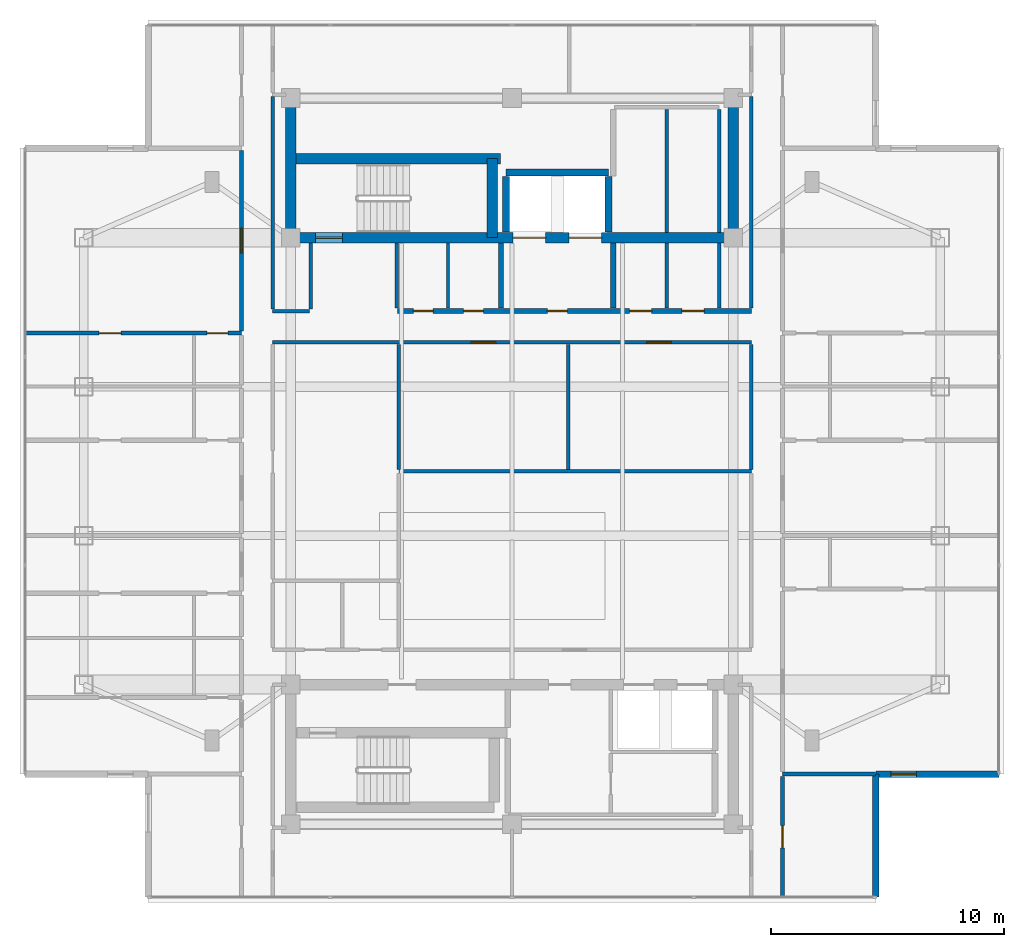
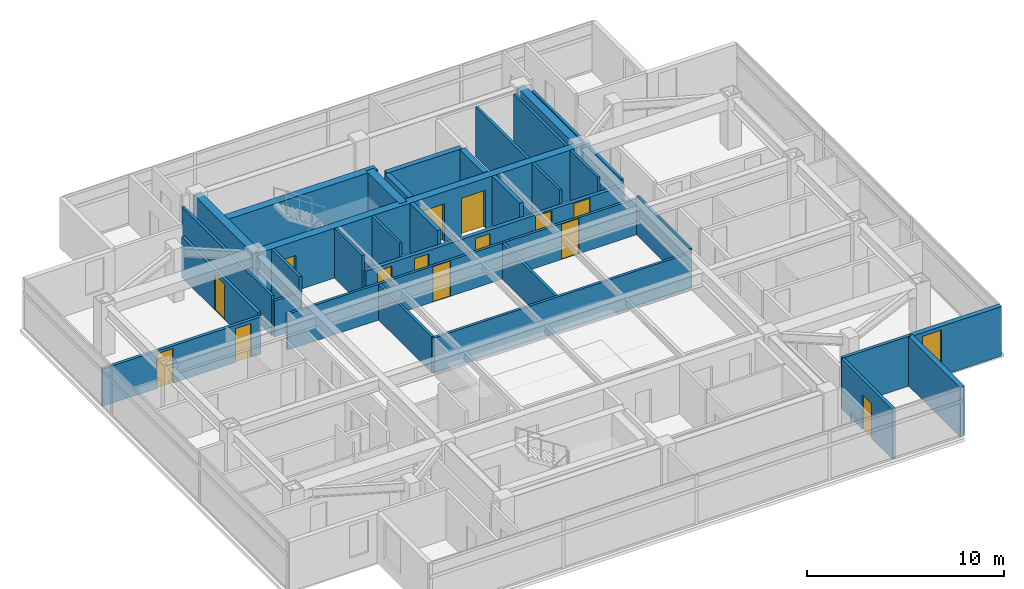
# One storey, part 9 of 15: 32 walls, 14 doors, 1 window, 15 openings.
"""IFC4 building model written with IfcOpenShell, lengths in metres."""

from ifc_helpers import new_model, si_unit, direction, frame, frame_2d, origin, place, context, subcontext, project, spatial, rectangle, extrude, material, layer, layer_set, type_object, element, fill, save


model = new_model("IFC4")

# Units and contexts
model_context = context("Model", 3, precision=1e-05, world=origin(), true_north=direction((0.0, 1.0)))
body_context = subcontext(model_context, "Body", "Model", "MODEL_VIEW")
ifc_project = project(units=[si_unit("LENGTHUNIT", "METRE"), si_unit("AREAUNIT", "SQUARE_METRE"), si_unit("VOLUMEUNIT", "CUBIC_METRE"), si_unit("PLANEANGLEUNIT", "RADIAN"), si_unit("MASSUNIT", "GRAM", prefix="KILO")], contexts=[model_context])

# Site, building, storey
site_placement = place(None, origin())
site = spatial("IfcSite", under=ifc_project, at=site_placement, CompositionType="ELEMENT")
building_placement = place(site_placement, origin())
building = spatial("IfcBuilding", under=site, at=building_placement, Name="Mirazonda Arch Towers", CompositionType="ELEMENT")
storey_placement = place(building_placement, frame((0.0, 0.0, 229.300048828125)))
storey = spatial("IfcBuildingStorey", under=building, at=storey_placement, Name="L65", CompositionType="ELEMENT", Elevation=229.300048828125)

# Walls
ifc_material_1 = material(Name="Concrete C50/60", Category="concrete")
ifc_layer_1 = layer(ifc_material_1, 0.449951171875, Name="WALL-CORE-450")
ifc_layer_set_1 = layer_set([ifc_layer_1], Name="Concrete C50/60")
wall_type_1 = type_object("IfcWallType", Name="WALL-CORE-450", PredefinedType="SHEAR", material=ifc_layer_set_1)
for number, where, z_axis, x_axis, name in (
    (1, (11.0, 37.60009765625, 0.0), (0.0, 0.0, 1.0), (0.0, 1.0, 0.0), "L65 T1N-W Core Shear Wall"),
    (2, (30.0, 37.60009765625, 0.0), (0.0, 0.0, 1.0), (0.0, 1.0, 0.0), "L65 T1N-E Core Shear Wall"),
):
    element("IfcWall", number, at=place(storey_placement, frame(where, z_axis=z_axis, x_axis=x_axis)), inside=storey, type_object=wall_type_1, Name=name, PredefinedType="SHEAR", context=body_context, shape_type="SweptSolid", body=[
        extrude(rectangle(XDim=6.0, YDim=0.449951171875, at=frame_2d((3.0, 0.0))), origin(), (0.0, 0.0, 1.0), 3.099853515625),
    ])

# Wall, openings, doors
wall_1_placement = place(storey_placement, frame((11.0, 37.60009765625, 0.0), z_axis=(0.0, 0.0, 1.0), x_axis=(1.0, 0.0, 0.0)))
wall_1 = element("IfcWall", 3, at=wall_1_placement, inside=storey, type_object=wall_type_1, Name="L65 T1N-S Core Shear Wall", PredefinedType="SHEAR", context=body_context, shape_type="SweptSolid", body=[
    extrude(rectangle(XDim=19.0, YDim=0.449951171875, at=frame_2d((9.5, 0.0))), origin(), (0.0, 0.0, 1.0), 3.099853515625),
])
opening_1_placement = place(wall_1_placement, frame((1.06005859375, 0.0, 0.0)))
opening_1 = element("IfcOpeningElement", 4, at=opening_1_placement, cuts=wall_1, Name="Opening DR-135", PredefinedType="OPENING", context=body_context, shape_type="SweptSolid", body=[
    extrude(rectangle(XDim=1.14990234375, YDim=2.199951171875, at=frame_2d((0.574951171875, 1.10009765625))), frame((0.0, 0.23486328125, 0.0), z_axis=(0.0, -1.0, 0.0), x_axis=(1.0, 0.0, 0.0)), (0.0, 0.0, 1.0), 0.469970703125),
])
opening_2_placement = place(wall_1_placement, frame((9.550048828125, 0.0, 0.0)))
opening_2 = element("IfcOpeningElement", 5, at=opening_2_placement, cuts=wall_1, Name="Opening LD-112", PredefinedType="OPENING", context=body_context, shape_type="SweptSolid", body=[
    extrude(rectangle(XDim=1.39990234375, YDim=2.35009765625, at=frame_2d((0.699951171875, 1.175048828125))), frame((0.0, 0.23486328125, 0.0), z_axis=(0.0, -1.0, 0.0), x_axis=(1.0, 0.0, 0.0)), (0.0, 0.0, 1.0), 0.469970703125),
])
opening_3_placement = place(wall_1_placement, frame((11.949951171875, 0.0, 0.0)))
opening_3 = element("IfcOpeningElement", 6, at=opening_3_placement, cuts=wall_1, Name="Opening LD-112", PredefinedType="OPENING", context=body_context, shape_type="SweptSolid", body=[
    extrude(rectangle(XDim=1.39990234375, YDim=2.35009765625, at=frame_2d((0.699951171875, 1.175048828125))), frame((0.0, 0.23486328125, 0.0), z_axis=(0.0, -1.0, 0.0), x_axis=(1.0, 0.0, 0.0)), (0.0, 0.0, 1.0), 0.469970703125),
])
ifc_material_2 = material(Name="Architectural Brushed Steel S355", Category="steel")
door_type_1 = type_object("IfcDoorType", Name="DOOR-LIFT-FFL-1400", OperationType="NOTDEFINED", PredefinedType="DOOR", material=ifc_material_2)
door_1_placement = place(opening_2_placement, origin())
door_1 = element("IfcDoor", 7, at=door_1_placement, inside=storey, type_object=door_type_1, Name="L65 Lift Landing Sliding Door FFL-T1", OperationType="DOUBLE_DOOR_SLIDING", OverallHeight=2.35009765625, OverallWidth=1.39990234375, PredefinedType="DOOR", context=body_context, shape_type="SweptSolid", body=[
    extrude(rectangle(XDim=1.39990234375, YDim=2.35009765625, at=frame_2d((0.699951171875, 1.175048828125))), frame((0.0, 0.02490234375, 0.0), z_axis=(0.0, -1.0, 0.0), x_axis=(1.0, 0.0, 0.0)), (0.0, 0.0, 1.0), 0.050048828125),
])
fill(opening_2, door_1)
door_2_placement = place(opening_3_placement, origin())
door_2 = element("IfcDoor", 8, at=door_2_placement, inside=storey, type_object=door_type_1, Name="L65 Lift Landing Sliding Door SVL-T1", OperationType="DOUBLE_DOOR_SLIDING", OverallHeight=2.35009765625, OverallWidth=1.39990234375, PredefinedType="DOOR", context=body_context, shape_type="SweptSolid", body=[
    extrude(rectangle(XDim=1.39990234375, YDim=2.35009765625, at=frame_2d((0.699951171875, 1.175048828125))), frame((0.0, 0.02490234375, 0.0), z_axis=(0.0, -1.0, 0.0), x_axis=(1.0, 0.0, 0.0)), (0.0, 0.0, 1.0), 0.050048828125),
])
fill(opening_3, door_2)
door_type_2 = type_object("IfcDoorType", Name="DOOR-STAIR-FD90-1150", OperationType="NOTDEFINED", PredefinedType="DOOR", material=ifc_material_2)
door_3_placement = place(opening_1_placement, origin())
door_3 = element("IfcDoor", 9, at=door_3_placement, inside=storey, type_object=door_type_2, Name="L65 Protected Exit Stair North Door", OperationType="SINGLE_SWING_LEFT", OverallHeight=2.199951171875, OverallWidth=1.14990234375, PredefinedType="DOOR", context=body_context, shape_type="SweptSolid", body=[
    extrude(rectangle(XDim=1.14990234375, YDim=2.199951171875, at=frame_2d((0.574951171875, 1.10009765625))), frame((0.0, 0.02490234375, 0.0), z_axis=(0.0, -1.0, 0.0), x_axis=(1.0, 0.0, 0.0)), (0.0, 0.0, 1.0), 0.050048828125),
])
fill(opening_1, door_3)

# Walls
wall_2_placement = place(storey_placement, frame((11.0, 40.992919921875, 0.0), z_axis=(0.0, 0.0, 1.0), x_axis=(1.0, 0.0, 0.0)))
element("IfcWall", 10, at=wall_2_placement, inside=storey, type_object=wall_type_1, Name="L65 T1N-STN Core Shear Wall", PredefinedType="SHEAR", context=body_context, shape_type="SweptSolid", body=[
    extrude(rectangle(XDim=9.0, YDim=0.449951171875, at=frame_2d((4.5, 0.0))), origin(), (0.0, 0.0, 1.0), 3.099853515625),
])
wall_3_placement = place(storey_placement, frame((19.64990234375, 37.60009765625, 0.0), z_axis=(0.0, 0.0, 1.0), x_axis=(0.0, 1.0, 0.0)))
element("IfcWall", 11, at=wall_3_placement, inside=storey, type_object=wall_type_1, Name="L65 T1N-STE Core Shear Wall", PredefinedType="SHEAR", context=body_context, shape_type="SweptSolid", body=[
    extrude(rectangle(XDim=3.392822265625, YDim=0.449951171875, at=frame_2d((1.6962890625, 0.0))), origin(), (0.0, 0.0, 1.0), 3.099853515625),
])

# Wall, opening, window
ifc_material_3 = material(Name="Precast Concrete C40/50", Category="concrete")
ifc_layer_2 = layer(ifc_material_3, 0.280029296875, Name="WALL-EXT-WALL-280")
ifc_layer_set_2 = layer_set([ifc_layer_2], Name="Precast Concrete C40/50")
wall_type_2 = type_object("IfcWallType", Name="WALL-EXT-WALL-280", PredefinedType="SOLIDWALL", material=ifc_layer_set_2)
wall_4_placement = place(storey_placement, frame((36.1298828125, 14.555908203125, 0.0), z_axis=(0.0, 0.0, 1.0), x_axis=(1.0, 0.0, 0.0)))
wall_4 = element("IfcWall", 12, at=wall_4_placement, inside=storey, type_object=wall_type_2, Name="L65 T1 Corner Notch Return Wall WL-L65-T1-CSE1", PredefinedType="SOLIDWALL", context=body_context, shape_type="SweptSolid", body=[
    extrude(rectangle(XDim=5.2900390625, YDim=0.280029296875, at=frame_2d((2.64501953125, 0.0))), origin(), (0.0, 0.0, 1.0), 3.079833984375),
])
opening_4_placement = place(wall_4_placement, frame((0.64990234375, 0.0, 0.85009765625)))
opening_4 = element("IfcOpeningElement", 13, at=opening_4_placement, cuts=wall_4, Name="Opening WN-108", PredefinedType="OPENING", context=body_context, shape_type="SweptSolid", body=[
    extrude(rectangle(XDim=1.10009765625, YDim=2.0, at=frame_2d((0.550048828125, 1.0))), frame((0.0, 0.14990234375, 0.0), z_axis=(0.0, -1.0, 0.0), x_axis=(1.0, 0.0, 0.0)), (0.0, 0.0, 1.0), 0.300048828125),
])
ifc_material_4 = material(Name="Insulated Low-E Solar Glass", Category="glass")
window_type = type_object("IfcWindowType", Name="WIN-NOTCH-1100x2000", PartitioningType="SINGLE_PANEL", PredefinedType="WINDOW", material=ifc_material_4)
window_placement = place(opening_4_placement, origin())
window = element("IfcWindow", 14, at=window_placement, inside=storey, type_object=window_type, Name="L65 Punched Facade Window WN-L65-T1-CSE1", OverallHeight=2.0, OverallWidth=1.10009765625, PartitioningType="SINGLE_PANEL", PredefinedType="WINDOW", context=body_context, shape_type="SweptSolid", body=[
    extrude(rectangle(XDim=1.10009765625, YDim=2.0, at=frame_2d((0.550048828125, 1.0))), frame((0.0, 0.030029296875, 0.0), z_axis=(0.0, -1.0, 0.0), x_axis=(1.0, 0.0, 0.0)), (0.0, 0.0, 1.0), 0.06005859375),
])
fill(opening_4, window)

# Wall
wall_5_placement = place(storey_placement, frame((36.1298828125, 9.26611328125, 0.0), z_axis=(0.0, 0.0, 1.0), x_axis=(0.0, 1.0, 0.0)))
element("IfcWall", 15, at=wall_5_placement, inside=storey, type_object=wall_type_2, Name="L65 T1 Corner Notch Return Wall WL-L65-T1-CSE2", PredefinedType="SOLIDWALL", context=body_context, shape_type="SweptSolid", body=[
    extrude(rectangle(XDim=5.289794921875, YDim=0.280029296875, at=frame_2d((2.64501953125, 0.0))), origin(), (0.0, 0.0, 1.0), 3.079833984375),
])

# Wall, openings, doors
ifc_material_5 = material(Name="Concrete C40/50", Category="concrete")
ifc_layer_3 = layer(ifc_material_5, 0.219970703125, Name="WALL-FFL-220")
ifc_layer_set_3 = layer_set([ifc_layer_3], Name="Concrete C40/50")
wall_type_3 = type_object("IfcWallType", Name="WALL-FFL-220", PredefinedType="SOLIDWALL", material=ifc_layer_set_3)
wall_6_placement = place(storey_placement, frame((15.590087890625, 34.449951171875, 0.0), z_axis=(0.0, 0.0, 1.0), x_axis=(1.0, 0.0, 0.0)))
wall_6 = element("IfcWall", 16, at=wall_6_placement, inside=storey, type_object=wall_type_3, Name="L65 Interior Partition 028", PredefinedType="SOLIDWALL", context=body_context, shape_type="SweptSolid", body=[
    extrude(rectangle(XDim=15.18994140625, YDim=0.219970703125, at=frame_2d((7.594970703125, 0.0))), origin(), (0.0, 0.0, 1.0), 2.23583984375),
])
opening_5_placement = place(wall_6_placement, frame((6.43505859375, 0.0, 0.0)))
opening_5 = element("IfcOpeningElement", 17, at=opening_5_placement, cuts=wall_6, Name="Opening DR-128", PredefinedType="OPENING", context=body_context, shape_type="SweptSolid", body=[
    extrude(rectangle(XDim=0.85009765625, YDim=2.010009765625, at=frame_2d((0.425048828125, 1.0048828125))), frame((0.0, 0.119873046875, 0.0), z_axis=(0.0, -1.0, 0.0), x_axis=(1.0, 0.0, 0.0)), (0.0, 0.0, 1.0), 0.239990234375),
])
opening_6_placement = place(wall_6_placement, frame((9.9599609375, 0.0, 0.0)))
opening_6 = element("IfcOpeningElement", 18, at=opening_6_placement, cuts=wall_6, Name="Opening DR-104", PredefinedType="OPENING", context=body_context, shape_type="SweptSolid", body=[
    extrude(rectangle(XDim=0.949951171875, YDim=2.14990234375, at=frame_2d((0.47509765625, 1.074951171875))), frame((0.0, 0.119873046875, 0.0), z_axis=(0.0, -1.0, 0.0), x_axis=(1.0, 0.0, 0.0)), (0.0, 0.0, 1.0), 0.239990234375),
])
opening_7_placement = place(wall_6_placement, frame((12.2099609375, 0.0, 0.0)))
opening_7 = element("IfcOpeningElement", 19, at=opening_7_placement, cuts=wall_6, Name="Opening DR-104", PredefinedType="OPENING", context=body_context, shape_type="SweptSolid", body=[
    extrude(rectangle(XDim=0.949951171875, YDim=2.14990234375, at=frame_2d((0.47509765625, 1.074951171875))), frame((0.0, 0.119873046875, 0.0), z_axis=(0.0, -1.0, 0.0), x_axis=(1.0, 0.0, 0.0)), (0.0, 0.0, 1.0), 0.239990234375),
])
opening_8_placement = place(wall_6_placement, frame((0.675048828125, 0.0, 0.0)))
opening_8 = element("IfcOpeningElement", 20, at=opening_8_placement, cuts=wall_6, Name="Opening DR-128", PredefinedType="OPENING", context=body_context, shape_type="SweptSolid", body=[
    extrude(rectangle(XDim=0.85009765625, YDim=2.010009765625, at=frame_2d((0.425048828125, 1.0048828125))), frame((0.0, 0.119873046875, 0.0), z_axis=(0.0, -1.0, 0.0), x_axis=(1.0, 0.0, 0.0)), (0.0, 0.0, 1.0), 0.239990234375),
])
opening_9_placement = place(wall_6_placement, frame((2.8349609375, 0.0, 0.0)))
opening_9 = element("IfcOpeningElement", 21, at=opening_9_placement, cuts=wall_6, Name="Opening DR-128", PredefinedType="OPENING", context=body_context, shape_type="SweptSolid", body=[
    extrude(rectangle(XDim=0.85009765625, YDim=2.010009765625, at=frame_2d((0.425048828125, 1.0048828125))), frame((0.0, 0.119873046875, 0.0), z_axis=(0.0, -1.0, 0.0), x_axis=(1.0, 0.0, 0.0)), (0.0, 0.0, 1.0), 0.239990234375),
])
door_type_3 = type_object("IfcDoorType", Name="DOOR-RISER-FD60-850", OperationType="NOTDEFINED", PredefinedType="DOOR", material=ifc_material_2)
door_4_placement = place(opening_5_placement, origin())
door_4 = element("IfcDoor", 22, at=door_4_placement, inside=storey, type_object=door_type_3, Name="L65 Firefighting Lift Lobby Door", OperationType="SINGLE_SWING_RIGHT", OverallHeight=2.010009765625, OverallWidth=0.85009765625, PredefinedType="DOOR", context=body_context, shape_type="SweptSolid", body=[
    extrude(rectangle(XDim=0.85009765625, YDim=2.010009765625, at=frame_2d((0.425048828125, 1.0048828125))), frame((0.0, 0.02490234375, 0.0), z_axis=(0.0, -1.0, 0.0), x_axis=(1.0, 0.0, 0.0)), (0.0, 0.0, 1.0), 0.050048828125),
])
fill(opening_5, door_4)
door_5_placement = place(opening_8_placement, origin())
door_5 = element("IfcDoor", 23, at=door_5_placement, inside=storey, type_object=door_type_3, Name="L65 Electrical Room Door", OperationType="SINGLE_SWING_LEFT", OverallHeight=2.010009765625, OverallWidth=0.85009765625, PredefinedType="DOOR", context=body_context, shape_type="SweptSolid", body=[
    extrude(rectangle(XDim=0.85009765625, YDim=2.010009765625, at=frame_2d((0.425048828125, 1.0048828125))), frame((0.0, 0.02490234375, 0.0), z_axis=(0.0, -1.0, 0.0), x_axis=(1.0, 0.0, 0.0)), (0.0, 0.0, 1.0), 0.050048828125),
])
fill(opening_8, door_5)
door_6_placement = place(opening_9_placement, origin())
door_6 = element("IfcDoor", 24, at=door_6_placement, inside=storey, type_object=door_type_3, Name="L65 Cleaners & Housekeeping Store Door", OperationType="SINGLE_SWING_RIGHT", OverallHeight=2.010009765625, OverallWidth=0.85009765625, PredefinedType="DOOR", context=body_context, shape_type="SweptSolid", body=[
    extrude(rectangle(XDim=0.85009765625, YDim=2.010009765625, at=frame_2d((0.425048828125, 1.0048828125))), frame((0.0, 0.02490234375, 0.0), z_axis=(0.0, -1.0, 0.0), x_axis=(1.0, 0.0, 0.0)), (0.0, 0.0, 1.0), 0.050048828125),
])
fill(opening_9, door_6)
door_type_4 = type_object("IfcDoorType", Name="DOOR-ROOM-950", OperationType="NOTDEFINED", PredefinedType="DOOR", material=ifc_material_2)
door_7_placement = place(opening_6_placement, origin())
door_7 = element("IfcDoor", 25, at=door_7_placement, inside=storey, type_object=door_type_4, Name="L65 Residents Private Art Gallery Door", OperationType="SINGLE_SWING_LEFT", OverallHeight=2.14990234375, OverallWidth=0.949951171875, PredefinedType="DOOR", context=body_context, shape_type="SweptSolid", body=[
    extrude(rectangle(XDim=0.949951171875, YDim=2.14990234375, at=frame_2d((0.47509765625, 1.074951171875))), frame((0.0, 0.02490234375, 0.0), z_axis=(0.0, -1.0, 0.0), x_axis=(1.0, 0.0, 0.0)), (0.0, 0.0, 1.0), 0.050048828125),
])
fill(opening_6, door_7)
door_8_placement = place(opening_7_placement, origin())
door_8 = element("IfcDoor", 26, at=door_8_placement, inside=storey, type_object=door_type_4, Name="L65 Private Quiet Study Door", OperationType="SINGLE_SWING_RIGHT", OverallHeight=2.14990234375, OverallWidth=0.949951171875, PredefinedType="DOOR", context=body_context, shape_type="SweptSolid", body=[
    extrude(rectangle(XDim=0.949951171875, YDim=2.14990234375, at=frame_2d((0.47509765625, 1.074951171875))), frame((0.0, 0.02490234375, 0.0), z_axis=(0.0, -1.0, 0.0), x_axis=(1.0, 0.0, 0.0)), (0.0, 0.0, 1.0), 0.050048828125),
])
fill(opening_7, door_8)

# Walls
for number, where, z_axis, x_axis, name in (
    (27, (20.02490234375, 34.570068359375, 0.0), (0.0, 0.0, 1.0), (0.0, 1.0, 0.0), "L65 Interior Partition 063"),
    (28, (24.85009765625, 34.570068359375, 0.0), (0.0, 0.0, 1.0), (0.0, 1.0, 0.0), "L65 Interior Partition 073"),
):
    element("IfcWall", number, at=place(storey_placement, frame(where, z_axis=z_axis, x_axis=x_axis)), inside=storey, type_object=wall_type_3, Name=name, PredefinedType="SOLIDWALL", context=body_context, shape_type="SweptSolid", body=[
        extrude(rectangle(XDim=2.809814453125, YDim=0.219970703125, at=frame_2d((1.40478515625, 0.0))), origin(), (0.0, 0.0, 1.0), 3.099853515625),
    ])
ifc_material_6 = material(Name="Fire-Rated Gypsum Stud Partition")
ifc_layer_4 = layer(ifc_material_6, 0.14990234375, Name="WALL-PART-CORR-150")
ifc_layer_set_4 = layer_set([ifc_layer_4], Name="Fire-Rated Gypsum Stud Partition")
wall_type_4 = type_object("IfcWallType", Name="WALL-PART-CORR-150", PredefinedType="PARTITIONING", material=ifc_layer_set_4)
wall_7_placement = place(storey_placement, frame((15.639892578125, 27.555908203125, 0.0), z_axis=(0.0, 0.0, 1.0), x_axis=(1.0, 0.0, 0.0)))
element("IfcWall", 29, at=wall_7_placement, inside=storey, type_object=wall_type_4, Name="L65 Interior Partition 019", PredefinedType="PARTITIONING", context=body_context, shape_type="SweptSolid", body=[
    extrude(rectangle(XDim=15.14013671875, YDim=0.14990234375, at=frame_2d((7.570068359375, 0.0))), origin(), (0.0, 0.0, 1.0), 2.23583984375),
])

# Wall, openings, doors
wall_8_placement = place(storey_placement, frame((10.219970703125, 33.10009765625, 0.0), z_axis=(0.0, 0.0, 1.0), x_axis=(1.0, 0.0, 0.0)))
wall_8 = element("IfcWall", 30, at=wall_8_placement, inside=storey, type_object=wall_type_4, Name="L65 Interior Partition 024", PredefinedType="PARTITIONING", context=body_context, shape_type="SweptSolid", body=[
    extrude(rectangle(XDim=20.56005859375, YDim=0.14990234375, at=frame_2d((10.280029296875, 0.0))), origin(), (0.0, 0.0, 1.0), 2.23583984375),
])
opening_10_placement = place(wall_8_placement, frame((8.528564453125, 0.0, 0.0)))
opening_10 = element("IfcOpeningElement", 31, at=opening_10_placement, cuts=wall_8, Name="Opening DR-121", PredefinedType="OPENING", context=body_context, shape_type="SweptSolid", body=[
    extrude(rectangle(XDim=1.050048828125, YDim=2.199951171875, at=frame_2d((0.52490234375, 1.10009765625))), frame((0.0, 0.0849609375, 0.0), z_axis=(0.0, -1.0, 0.0), x_axis=(1.0, 0.0, 0.0)), (0.0, 0.0, 1.0), 0.169921875),
])
opening_11_placement = place(wall_8_placement, frame((16.07861328125, 0.0, 0.0)))
opening_11 = element("IfcOpeningElement", 32, at=opening_11_placement, cuts=wall_8, Name="Opening DR-121", PredefinedType="OPENING", context=body_context, shape_type="SweptSolid", body=[
    extrude(rectangle(XDim=1.050048828125, YDim=2.199951171875, at=frame_2d((0.52490234375, 1.10009765625))), frame((0.0, 0.0849609375, 0.0), z_axis=(0.0, -1.0, 0.0), x_axis=(1.0, 0.0, 0.0)), (0.0, 0.0, 1.0), 0.169921875),
])
door_type_5 = type_object("IfcDoorType", Name="DOOR-SUITE-FD60-1050", OperationType="NOTDEFINED", PredefinedType="DOOR", material=ifc_material_2)
door_9_placement = place(opening_10_placement, origin())
door_9 = element("IfcDoor", 33, at=door_9_placement, inside=storey, type_object=door_type_5, Name="L65 Business Reading Study Door", OperationType="SINGLE_SWING_RIGHT", OverallHeight=2.199951171875, OverallWidth=1.050048828125, PredefinedType="DOOR", context=body_context, shape_type="SweptSolid", body=[
    extrude(rectangle(XDim=1.050048828125, YDim=2.199951171875, at=frame_2d((0.52490234375, 1.10009765625))), frame((0.0, 0.02490234375, 0.0), z_axis=(0.0, -1.0, 0.0), x_axis=(1.0, 0.0, 0.0)), (0.0, 0.0, 1.0), 0.050048828125),
])
fill(opening_10, door_9)
door_10_placement = place(opening_11_placement, origin())
door_10 = element("IfcDoor", 34, at=door_10_placement, inside=storey, type_object=door_type_5, Name="L65 Private Meeting Suite Door", OperationType="SINGLE_SWING_LEFT", OverallHeight=2.199951171875, OverallWidth=1.050048828125, PredefinedType="DOOR", context=body_context, shape_type="SweptSolid", body=[
    extrude(rectangle(XDim=1.050048828125, YDim=2.199951171875, at=frame_2d((0.52490234375, 1.10009765625))), frame((0.0, 0.02490234375, 0.0), z_axis=(0.0, -1.0, 0.0), x_axis=(1.0, 0.0, 0.0)), (0.0, 0.0, 1.0), 0.050048828125),
])
fill(opening_11, door_10)

# Walls
wall_9_placement = place(storey_placement, frame((10.219970703125, 34.449951171875, 0.0), z_axis=(0.0, 0.0, 1.0), x_axis=(1.0, 0.0, 0.0)))
element("IfcWall", 35, at=wall_9_placement, inside=storey, type_object=wall_type_4, Name="L65 Interior Partition 027", PredefinedType="PARTITIONING", context=body_context, shape_type="SweptSolid", body=[
    extrude(rectangle(XDim=1.580078125, YDim=0.14990234375, at=frame_2d((0.7900390625, 0.0))), origin(), (0.0, 0.0, 1.0), 2.23583984375),
])
wall_10_placement = place(storey_placement, frame((10.219970703125, 34.534912109375, 0.0), z_axis=(0.0, 0.0, 1.0), x_axis=(0.0, 1.0, 0.0)))
element("IfcWall", 36, at=wall_10_placement, inside=storey, type_object=wall_type_4, Name="L65 Interior Partition 053", PredefinedType="PARTITIONING", context=body_context, shape_type="SweptSolid", body=[
    extrude(rectangle(XDim=9.130126953125, YDim=0.14990234375, at=frame_2d((4.56494140625, 0.0))), origin(), (0.0, 0.0, 1.0), 2.491943359375),
])
wall_11_placement = place(storey_placement, frame((11.85009765625, 34.534912109375, 0.0), z_axis=(0.0, 0.0, 1.0), x_axis=(0.0, 1.0, 0.0)))
element("IfcWall", 37, at=wall_11_placement, inside=storey, type_object=wall_type_4, Name="L65 Interior Partition 055", PredefinedType="PARTITIONING", context=body_context, shape_type="SweptSolid", body=[
    extrude(rectangle(XDim=2.844970703125, YDim=0.14990234375, at=frame_2d((1.42236328125, 0.0))), origin(), (0.0, 0.0, 1.0), 3.099853515625),
])
wall_12_placement = place(storey_placement, frame((15.639892578125, 27.64111328125, 0.0), z_axis=(0.0, 0.0, 1.0), x_axis=(0.0, 1.0, 0.0)))
element("IfcWall", 38, at=wall_12_placement, inside=storey, type_object=wall_type_4, Name="L65 Interior Partition 059", PredefinedType="PARTITIONING", context=body_context, shape_type="SweptSolid", body=[
    extrude(rectangle(XDim=5.373779296875, YDim=0.14990234375, at=frame_2d((2.68701171875, 0.0))), origin(), (0.0, 0.0, 1.0), 2.23583984375),
])
for number, where, z_axis, x_axis, name in (
    (39, (15.550048828125, 34.570068359375, 0.0), (0.0, 0.0, 1.0), (0.0, 1.0, 0.0), "L65 Interior Partition 060"),
    (40, (17.75, 34.570068359375, 0.0), (0.0, 0.0, 1.0), (0.0, 1.0, 0.0), "L65 Interior Partition 061"),
):
    element("IfcWall", number, at=place(storey_placement, frame(where, z_axis=z_axis, x_axis=x_axis)), inside=storey, type_object=wall_type_4, Name=name, PredefinedType="PARTITIONING", context=body_context, shape_type="SweptSolid", body=[
        extrude(rectangle(XDim=2.809814453125, YDim=0.14990234375, at=frame_2d((1.40478515625, 0.0))), origin(), (0.0, 0.0, 1.0), 3.099853515625),
    ])
wall_13_placement = place(storey_placement, frame((22.906982421875, 27.64111328125, 0.0), z_axis=(0.0, 0.0, 1.0), x_axis=(0.0, 1.0, 0.0)))
element("IfcWall", 41, at=wall_13_placement, inside=storey, type_object=wall_type_4, Name="L65 Interior Partition 068", PredefinedType="PARTITIONING", context=body_context, shape_type="SweptSolid", body=[
    extrude(rectangle(XDim=5.373779296875, YDim=0.14990234375, at=frame_2d((2.68701171875, 0.0))), origin(), (0.0, 0.0, 1.0), 2.23583984375),
])
wall_14_placement = place(storey_placement, frame((27.14990234375, 34.570068359375, 0.0), z_axis=(0.0, 0.0, 1.0), x_axis=(0.0, 1.0, 0.0)))
element("IfcWall", 42, at=wall_14_placement, inside=storey, type_object=wall_type_4, Name="L65 Interior Partition 075", PredefinedType="PARTITIONING", context=body_context, shape_type="SweptSolid", body=[
    extrude(rectangle(XDim=2.809814453125, YDim=0.14990234375, at=frame_2d((1.40478515625, 0.0))), origin(), (0.0, 0.0, 1.0), 3.099853515625),
])
wall_15_placement = place(storey_placement, frame((27.14990234375, 37.820068359375, 0.0), z_axis=(0.0, 0.0, 1.0), x_axis=(0.0, 1.0, 0.0)))
element("IfcWall", 43, at=wall_15_placement, inside=storey, type_object=wall_type_4, Name="L65 Interior Partition 076", PredefinedType="PARTITIONING", context=body_context, shape_type="SweptSolid", body=[
    extrude(rectangle(XDim=5.294921875, YDim=0.14990234375, at=frame_2d((2.6474609375, 0.0))), origin(), (0.0, 0.0, 1.0), 3.099853515625),
])
wall_16_placement = place(storey_placement, frame((29.39990234375, 34.570068359375, 0.0), z_axis=(0.0, 0.0, 1.0), x_axis=(0.0, 1.0, 0.0)))
element("IfcWall", 44, at=wall_16_placement, inside=storey, type_object=wall_type_4, Name="L65 Interior Partition 079", PredefinedType="PARTITIONING", context=body_context, shape_type="SweptSolid", body=[
    extrude(rectangle(XDim=2.809814453125, YDim=0.14990234375, at=frame_2d((1.40478515625, 0.0))), origin(), (0.0, 0.0, 1.0), 3.099853515625),
])
wall_17_placement = place(storey_placement, frame((29.39990234375, 37.820068359375, 0.0), z_axis=(0.0, 0.0, 1.0), x_axis=(0.0, 1.0, 0.0)))
element("IfcWall", 45, at=wall_17_placement, inside=storey, type_object=wall_type_4, Name="L65 Interior Partition 080", PredefinedType="PARTITIONING", context=body_context, shape_type="SweptSolid", body=[
    extrude(rectangle(XDim=5.294921875, YDim=0.14990234375, at=frame_2d((2.6474609375, 0.0))), origin(), (0.0, 0.0, 1.0), 3.099853515625),
])
wall_18_placement = place(storey_placement, frame((30.780029296875, 27.64111328125, 0.0), z_axis=(0.0, 0.0, 1.0), x_axis=(0.0, 1.0, 0.0)))
element("IfcWall", 46, at=wall_18_placement, inside=storey, type_object=wall_type_4, Name="L65 Interior Partition 084", PredefinedType="PARTITIONING", context=body_context, shape_type="SweptSolid", body=[
    extrude(rectangle(XDim=5.373779296875, YDim=0.14990234375, at=frame_2d((2.68701171875, 0.0))), origin(), (0.0, 0.0, 1.0), 2.39599609375),
])
wall_19_placement = place(storey_placement, frame((30.780029296875, 34.570068359375, 0.0), z_axis=(0.0, 0.0, 1.0), x_axis=(0.0, 1.0, 0.0)))
element("IfcWall", 47, at=wall_19_placement, inside=storey, type_object=wall_type_4, Name="L65 Interior Partition 085", PredefinedType="PARTITIONING", context=body_context, shape_type="SweptSolid", body=[
    extrude(rectangle(XDim=9.094970703125, YDim=0.14990234375, at=frame_2d((4.54736328125, 0.0))), origin(), (0.0, 0.0, 1.0), 2.491943359375),
])
ifc_material_7 = material(Name="Fire-Rated Gypsum Twin-Stud Assembly")
ifc_layer_5 = layer(ifc_material_7, 0.179931640625, Name="WALL-PART-DEMISE-180")
ifc_layer_set_5 = layer_set([ifc_layer_5], Name="Fire-Rated Gypsum Twin-Stud Assembly")
wall_type_5 = type_object("IfcWallType", Name="WALL-PART-DEMISE-180", PredefinedType="PARTITIONING", material=ifc_layer_set_5)
wall_20_placement = place(storey_placement, frame((32.1201171875, 14.555908203125, 0.0), z_axis=(0.0, 0.0, 1.0), x_axis=(1.0, 0.0, 0.0)))
element("IfcWall", 48, at=wall_20_placement, inside=storey, type_object=wall_type_5, Name="L65 Interior Partition 006", PredefinedType="PARTITIONING", context=body_context, shape_type="SweptSolid", body=[
    extrude(rectangle(XDim=3.989990234375, YDim=0.179931640625, at=frame_2d((1.9951171875, 0.0))), origin(), (0.0, 0.0, 1.0), 3.099853515625),
])

# Wall, openings, doors
wall_21_placement = place(storey_placement, frame((-0.419921875, 33.5, 0.0), z_axis=(0.0, 0.0, 1.0), x_axis=(1.0, 0.0, 0.0)))
wall_21 = element("IfcWall", 49, at=wall_21_placement, inside=storey, type_object=wall_type_5, Name="L65 Interior Partition 025", PredefinedType="PARTITIONING", context=body_context, shape_type="SweptSolid", body=[
    extrude(rectangle(XDim=9.2998046875, YDim=0.179931640625, at=frame_2d((4.64990234375, 0.0))), origin(), (0.0, 0.0, 1.0), 2.31884765625),
])
opening_12_placement = place(wall_21_placement, frame((3.175048828125, 0.0, 0.0)))
opening_12 = element("IfcOpeningElement", 50, at=opening_12_placement, cuts=wall_21, Name="Opening DR-104", PredefinedType="OPENING", context=body_context, shape_type="SweptSolid", body=[
    extrude(rectangle(XDim=0.949951171875, YDim=2.14990234375, at=frame_2d((0.47509765625, 1.074951171875))), frame((0.0, 0.099853515625, 0.0), z_axis=(0.0, -1.0, 0.0), x_axis=(1.0, 0.0, 0.0)), (0.0, 0.0, 1.0), 0.199951171875),
])
opening_13_placement = place(wall_21_placement, frame((7.81005859375, 0.0, 0.0)))
opening_13 = element("IfcOpeningElement", 51, at=opening_13_placement, cuts=wall_21, Name="Opening DR-120", PredefinedType="OPENING", context=body_context, shape_type="SweptSolid", body=[
    extrude(rectangle(XDim=0.89990234375, YDim=2.10009765625, at=frame_2d((0.449951171875, 1.050048828125))), frame((0.0, 0.099853515625, 0.0), z_axis=(0.0, -1.0, 0.0), x_axis=(1.0, 0.0, 0.0)), (0.0, 0.0, 1.0), 0.199951171875),
])
door_11_placement = place(opening_12_placement, origin())
door_11 = element("IfcDoor", 52, at=door_11_placement, inside=storey, type_object=door_type_4, Name="L65 Suite Bedroom 4 Door", OperationType="SINGLE_SWING_RIGHT", OverallHeight=2.14990234375, OverallWidth=0.949951171875, PredefinedType="DOOR", context=body_context, shape_type="SweptSolid", body=[
    extrude(rectangle(XDim=0.949951171875, YDim=2.14990234375, at=frame_2d((0.47509765625, 1.074951171875))), frame((0.0, 0.02490234375, 0.0), z_axis=(0.0, -1.0, 0.0), x_axis=(1.0, 0.0, 0.0)), (0.0, 0.0, 1.0), 0.050048828125),
])
fill(opening_12, door_11)
door_type_6 = type_object("IfcDoorType", Name="DOOR-WC-900", OperationType="NOTDEFINED", PredefinedType="DOOR", material=ifc_material_2)
door_12_placement = place(opening_13_placement, origin())
door_12 = element("IfcDoor", 53, at=door_12_placement, inside=storey, type_object=door_type_6, Name="L65 Suite En-Suite Bathroom 4 Door", OperationType="SINGLE_SWING_LEFT", OverallHeight=2.10009765625, OverallWidth=0.89990234375, PredefinedType="DOOR", context=body_context, shape_type="SweptSolid", body=[
    extrude(rectangle(XDim=0.89990234375, YDim=2.10009765625, at=frame_2d((0.449951171875, 1.050048828125))), frame((0.0, 0.02490234375, 0.0), z_axis=(0.0, -1.0, 0.0), x_axis=(1.0, 0.0, 0.0)), (0.0, 0.0, 1.0), 0.050048828125),
])
fill(opening_13, door_12)

# Wall, opening, door
wall_22_placement = place(storey_placement, frame((8.8798828125, 33.60009765625, 0.0), z_axis=(0.0, 0.0, 1.0), x_axis=(0.0, 1.0, 0.0)))
wall_22 = element("IfcWall", 54, at=wall_22_placement, inside=storey, type_object=wall_type_5, Name="L65 Interior Partition 047", PredefinedType="PARTITIONING", context=body_context, shape_type="SweptSolid", body=[
    extrude(rectangle(XDim=7.743896484375, YDim=0.179931640625, at=frame_2d((3.8720703125, 0.0))), origin(), (0.0, 0.0, 1.0), 2.491943359375),
])
opening_14_placement = place(wall_22_placement, frame((3.346923828125, 0.0, 0.0)))
opening_14 = element("IfcOpeningElement", 55, at=opening_14_placement, cuts=wall_22, Name="Opening DR-121", PredefinedType="OPENING", context=body_context, shape_type="SweptSolid", body=[
    extrude(rectangle(XDim=1.050048828125, YDim=2.199951171875, at=frame_2d((0.52490234375, 1.10009765625))), frame((0.0, 0.099853515625, 0.0), z_axis=(0.0, -1.0, 0.0), x_axis=(1.0, 0.0, 0.0)), (0.0, 0.0, 1.0), 0.199951171875),
])
door_13_placement = place(opening_14_placement, origin())
door_13 = element("IfcDoor", 56, at=door_13_placement, inside=storey, type_object=door_type_5, Name="L65 Presidential Hotel Suite 4 Door", OperationType="SINGLE_SWING_LEFT", OverallHeight=2.199951171875, OverallWidth=1.050048828125, PredefinedType="DOOR", context=body_context, shape_type="SweptSolid", body=[
    extrude(rectangle(XDim=1.050048828125, YDim=2.199951171875, at=frame_2d((0.52490234375, 1.10009765625))), frame((0.0, 0.02490234375, 0.0), z_axis=(0.0, -1.0, 0.0), x_axis=(1.0, 0.0, 0.0)), (0.0, 0.0, 1.0), 0.050048828125),
])
fill(opening_14, door_13)

wall_23_placement = place(storey_placement, frame((32.1201171875, 9.26611328125, 0.0), z_axis=(0.0, 0.0, 1.0), x_axis=(0.0, 1.0, 0.0)))
wall_23 = element("IfcWall", 57, at=wall_23_placement, inside=storey, type_object=wall_type_5, Name="L65 Interior Partition 087", PredefinedType="PARTITIONING", context=body_context, shape_type="SweptSolid", body=[
    extrude(rectangle(XDim=5.18994140625, YDim=0.179931640625, at=frame_2d((2.594970703125, 0.0))), origin(), (0.0, 0.0, 1.0), 3.099853515625),
])
opening_15_placement = place(wall_23_placement, frame((2.1201171875, 0.0, 0.0)))
opening_15 = element("IfcOpeningElement", 58, at=opening_15_placement, cuts=wall_23, Name="Opening DR-104", PredefinedType="OPENING", context=body_context, shape_type="SweptSolid", body=[
    extrude(rectangle(XDim=0.949951171875, YDim=2.14990234375, at=frame_2d((0.47509765625, 1.074951171875))), frame((0.0, 0.099853515625, 0.0), z_axis=(0.0, -1.0, 0.0), x_axis=(1.0, 0.0, 0.0)), (0.0, 0.0, 1.0), 0.199951171875),
])
door_14_placement = place(opening_15_placement, origin())
door_14 = element("IfcDoor", 59, at=door_14_placement, inside=storey, type_object=door_type_4, Name="L65 South Horizon Lounge Alcove East Door", OperationType="SINGLE_SWING_LEFT", OverallHeight=2.14990234375, OverallWidth=0.949951171875, PredefinedType="DOOR", context=body_context, shape_type="SweptSolid", body=[
    extrude(rectangle(XDim=0.949951171875, YDim=2.14990234375, at=frame_2d((0.47509765625, 1.074951171875))), frame((0.0, 0.02490234375, 0.0), z_axis=(0.0, -1.0, 0.0), x_axis=(1.0, 0.0, 0.0)), (0.0, 0.0, 1.0), 0.050048828125),
])
fill(opening_15, door_14)

# Walls
ifc_layer_6 = layer(ifc_material_1, 0.300048828125, Name="WALL-SHAFT-300")
ifc_layer_set_6 = layer_set([ifc_layer_6], Name="Concrete C50/60")
wall_type_6 = type_object("IfcWallType", Name="WALL-SHAFT-300", PredefinedType="SOLIDWALL", material=ifc_layer_set_6)
wall_24_placement = place(storey_placement, frame((20.25, 40.39990234375, 0.0), z_axis=(0.0, 0.0, 1.0), x_axis=(1.0, 0.0, 0.0)))
element("IfcWall", 60, at=wall_24_placement, inside=storey, type_object=wall_type_6, Name="L65 Interior Partition 029", PredefinedType="SOLIDWALL", context=body_context, shape_type="SweptSolid", body=[
    extrude(rectangle(XDim=4.39990234375, YDim=0.300048828125, at=frame_2d((2.199951171875, 0.0))), origin(), (0.0, 0.0, 1.0), 3.099853515625),
])
for number, where, z_axis, x_axis, name in (
    (61, (20.25, 37.85009765625, 0.0), (0.0, 0.0, 1.0), (0.0, 1.0, 0.0), "L65 Interior Partition 066"),
    (62, (24.64990234375, 37.85009765625, 0.0), (0.0, 0.0, 1.0), (0.0, 1.0, 0.0), "L65 Interior Partition 072"),
):
    element("IfcWall", number, at=place(storey_placement, frame(where, z_axis=z_axis, x_axis=x_axis)), inside=storey, type_object=wall_type_6, Name=name, PredefinedType="SOLIDWALL", context=body_context, shape_type="SweptSolid", body=[
        extrude(rectangle(XDim=2.389892578125, YDim=0.300048828125, at=frame_2d((1.19482421875, 0.0))), origin(), (0.0, 0.0, 1.0), 3.099853515625),
    ])

save(model, "model.ifc")
